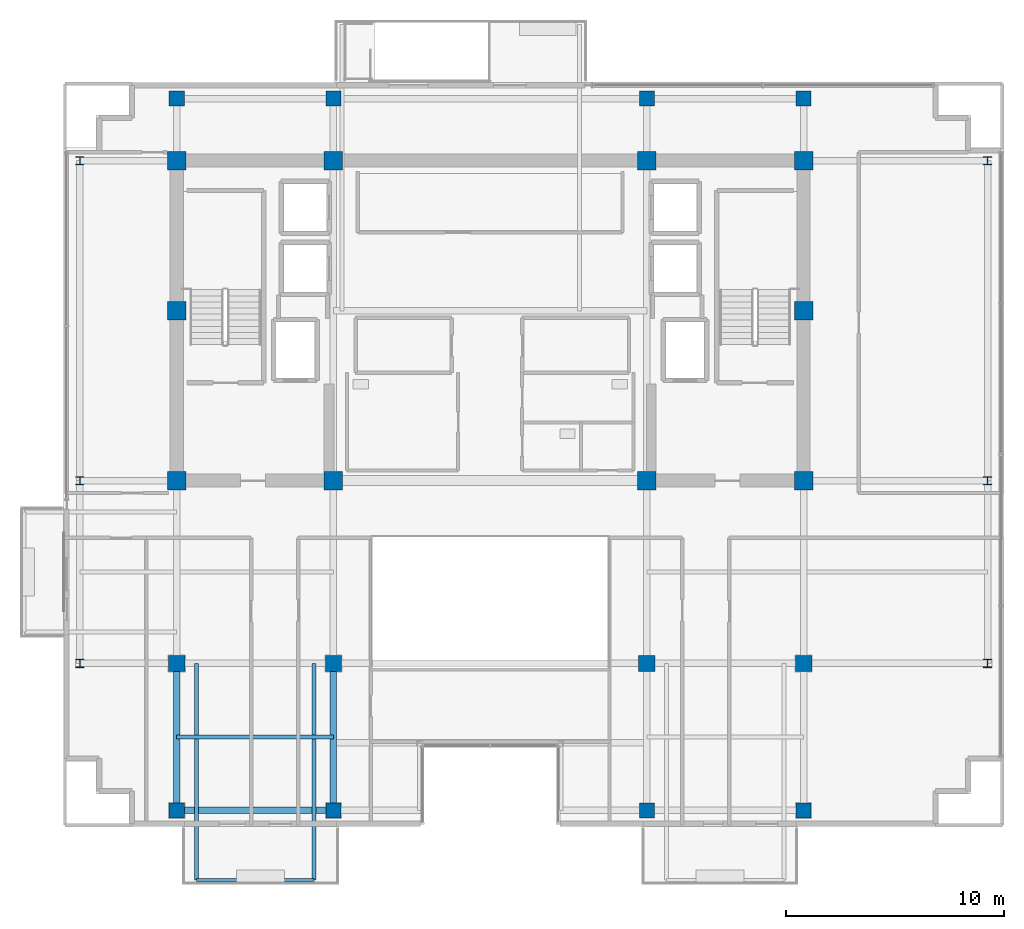
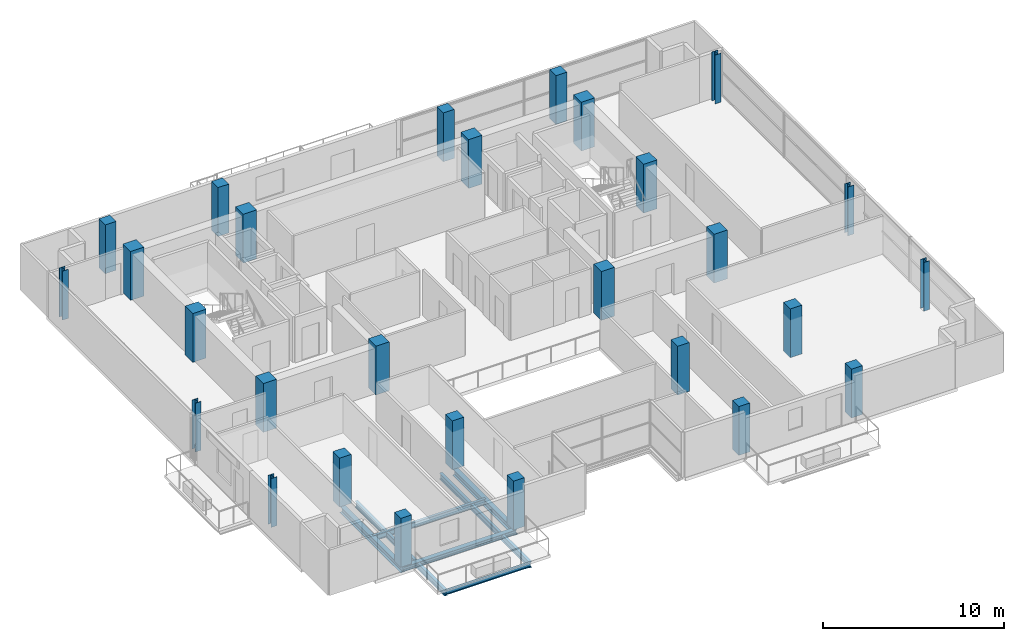
# One storey, part 1 of 24: 28 columns, 7 beams.
"""IFC4 building model written with IfcOpenShell, lengths in metres."""

from ifc_helpers import new_model, si_unit, direction, frame, origin, origin_2d, place, context, subcontext, project, spatial, rectangle, i_section, extrude, material, material_profile, profile_set, type_object, element, save


model = new_model("IFC4")

# Units and contexts
model_context = context("Model", 3, precision=1e-05, world=origin(), true_north=direction((0.0, 1.0)))
body_context = subcontext(model_context, "Body", "Model", "MODEL_VIEW")
ifc_project = project(units=[si_unit("LENGTHUNIT", "METRE"), si_unit("AREAUNIT", "SQUARE_METRE"), si_unit("VOLUMEUNIT", "CUBIC_METRE"), si_unit("PLANEANGLEUNIT", "RADIAN"), si_unit("MASSUNIT", "GRAM", prefix="KILO")], contexts=[model_context])

# Site, building, storey
site_placement = place(None, origin())
site = spatial("IfcSite", under=ifc_project, at=site_placement, CompositionType="ELEMENT")
building_placement = place(site_placement, origin())
building = spatial("IfcBuilding", under=site, at=building_placement, Name="Zarnakvel Exchange Tower", CompositionType="ELEMENT")
storey_placement = place(building_placement, frame((0.0, 0.0, 235.300048828125)))
storey = spatial("IfcBuildingStorey", under=building, at=storey_placement, Name="L66", CompositionType="ELEMENT", Elevation=235.300048828125)

# Columns
ifc_material_1 = material(Name="Concrete C50/60", Category="concrete")
ifc_material_profile_1 = material_profile(ifc_material_1, rectangle(XDim=0.85009765625, YDim=0.85009765625, at=origin_2d()))
ifc_profile_set_1 = profile_set([ifc_material_profile_1], Name="Concrete C50/60")
column_type_1 = type_object("IfcColumnType", Name="CC-03", PredefinedType="COLUMN", material=ifc_profile_set_1)
for number, where, z_axis, x_axis, name in (
    (1, (-14.39990234375, -1.199951171875, 0.0), (0.0, 0.0, 1.0), (1.0, 0.0, 0.0), "L66 Column C-4D (CC-03)"),
    (2, (-7.199951171875, -1.199951171875, 0.0), (0.0, 0.0, 1.0), (1.0, 0.0, 0.0), "L66 Column C-5D (CC-03)"),
    (3, (7.199951171875, -1.199951171875, 0.0), (0.0, 0.0, 1.0), (1.0, 0.0, 0.0), "L66 Column C-8D (CC-03)"),
    (4, (14.39990234375, -1.199951171875, 0.0), (0.0, 0.0, 1.0), (1.0, 0.0, 0.0), "L66 Column C-9D (CC-03)"),
    (5, (-14.39990234375, 6.60009765625, 0.0), (0.0, 0.0, 1.0), (1.0, 0.0, 0.0), "L66 Column C-4E (CC-03)"),
    (6, (14.39990234375, 6.60009765625, 0.0), (0.0, 0.0, 1.0), (1.0, 0.0, 0.0), "L66 Column C-9E (CC-03)"),
    (7, (-14.39990234375, 13.5, 0.0), (0.0, 0.0, 1.0), (1.0, 0.0, 0.0), "L66 Column C-4F (CC-03)"),
    (8, (-7.199951171875, 13.5, 0.0), (0.0, 0.0, 1.0), (1.0, 0.0, 0.0), "L66 Column C-5F (CC-03)"),
    (9, (7.199951171875, 13.5, 0.0), (0.0, 0.0, 1.0), (1.0, 0.0, 0.0), "L66 Column C-8F (CC-03)"),
    (10, (14.39990234375, 13.5, 0.0), (0.0, 0.0, 1.0), (1.0, 0.0, 0.0), "L66 Column C-9F (CC-03)"),
):
    element("IfcColumn", number, at=place(storey_placement, frame(where, z_axis=z_axis, x_axis=x_axis)), inside=storey, type_object=column_type_1, Name=name, PredefinedType="COLUMN", context=body_context, shape_type="SweptSolid", body=[
        extrude(rectangle(XDim=0.85009765625, YDim=0.85009765625, at=origin_2d()), origin(), (0.0, 0.0, 1.0), 3.300048828125),
    ])
ifc_material_2 = material(Name="Steel S355", Category="steel")
ifc_material_profile_2 = material_profile(ifc_material_2, i_section(OverallWidth=0.374755859375, OverallDepth=0.37451171875, WebThickness=0.0166015625, FlangeThickness=0.027099609375, FilletRadius=0.01513671875, at=origin_2d()))
ifc_profile_set_2 = profile_set([ifc_material_profile_2], Name="Steel S355")
column_type_2 = type_object("IfcColumnType", Name="SC-05", PredefinedType="COLUMN", material=ifc_profile_set_2)
for number, where, z_axis, x_axis, name in (
    (11, (-18.85009765625, -9.60009765625, 0.0), (0.0, 0.0, 1.0), (1.0, 0.0, 0.0), "L66 Column TW-C (SC-05)"),
    (12, (22.85009765625, -9.60009765625, 0.0), (0.0, 0.0, 1.0), (1.0, 0.0, 0.0), "L66 Column TE-C (SC-05)"),
    (13, (-18.85009765625, -1.199951171875, 0.0), (0.0, 0.0, 1.0), (1.0, 0.0, 0.0), "L66 Column TW-D (SC-05)"),
    (14, (22.85009765625, -1.199951171875, 0.0), (0.0, 0.0, 1.0), (1.0, 0.0, 0.0), "L66 Column TE-D (SC-05)"),
    (15, (-18.85009765625, 13.5, 0.0), (0.0, 0.0, 1.0), (1.0, 0.0, 0.0), "L66 Column TW-F (SC-05)"),
    (16, (22.85009765625, 13.5, 0.0), (0.0, 0.0, 1.0), (1.0, 0.0, 0.0), "L66 Column TE-F (SC-05)"),
):
    element("IfcColumn", number, at=place(storey_placement, frame(where, z_axis=z_axis, x_axis=x_axis)), inside=storey, type_object=column_type_2, Name=name, PredefinedType="COLUMN", context=body_context, shape_type="SweptSolid", body=[
        extrude(i_section(OverallWidth=0.374755859375, OverallDepth=0.37451171875, WebThickness=0.0166015625, FlangeThickness=0.027099609375, FilletRadius=0.01513671875, at=origin_2d()), origin(), (0.0, 0.0, 1.0), 3.300048828125),
    ])
ifc_material_profile_3 = material_profile(ifc_material_1, rectangle(XDim=0.75, YDim=0.75, at=origin_2d()))
ifc_profile_set_3 = profile_set([ifc_material_profile_3], Name="Concrete C50/60")
column_type_3 = type_object("IfcColumnType", Name="TC-04", PredefinedType="COLUMN", material=ifc_profile_set_3)
for number, where, z_axis, x_axis, name in (
    (17, (-14.39990234375, -9.60009765625, 0.0), (0.0, 0.0, 1.0), (1.0, 0.0, 0.0), "L66 Column T-4C (TC-04)"),
    (18, (-7.199951171875, -9.60009765625, 0.0), (0.0, 0.0, 1.0), (1.0, 0.0, 0.0), "L66 Column T-5C (TC-04)"),
    (19, (7.199951171875, -9.60009765625, 0.0), (0.0, 0.0, 1.0), (1.0, 0.0, 0.0), "L66 Column T-8C (TC-04)"),
    (20, (14.39990234375, -9.60009765625, 0.0), (0.0, 0.0, 1.0), (1.0, 0.0, 0.0), "L66 Column T-9C (TC-04)"),
):
    element("IfcColumn", number, at=place(storey_placement, frame(where, z_axis=z_axis, x_axis=x_axis)), inside=storey, type_object=column_type_3, Name=name, PredefinedType="COLUMN", context=body_context, shape_type="SweptSolid", body=[
        extrude(rectangle(XDim=0.75, YDim=0.75, at=origin_2d()), origin(), (0.0, 0.0, 1.0), 3.300048828125),
    ])
ifc_material_profile_4 = material_profile(ifc_material_1, rectangle(XDim=0.699951171875, YDim=0.699951171875, at=origin_2d()))
ifc_profile_set_4 = profile_set([ifc_material_profile_4], Name="Concrete C50/60")
column_type_4 = type_object("IfcColumnType", Name="TC-05", PredefinedType="COLUMN", material=ifc_profile_set_4)
for number, where, z_axis, x_axis, name in (
    (21, (-14.39990234375, -16.35009765625, 0.0), (0.0, 0.0, 1.0), (1.0, 0.0, 0.0), "L66 Column TS-4 (TC-05)"),
    (22, (-14.39990234375, 16.35009765625, 0.0), (0.0, 0.0, 1.0), (1.0, 0.0, 0.0), "L66 Column TN-4 (TC-05)"),
    (23, (-7.199951171875, -16.35009765625, 0.0), (0.0, 0.0, 1.0), (1.0, 0.0, 0.0), "L66 Column TS-5 (TC-05)"),
    (24, (-7.199951171875, 16.35009765625, 0.0), (0.0, 0.0, 1.0), (1.0, 0.0, 0.0), "L66 Column TN-5 (TC-05)"),
    (25, (7.199951171875, -16.35009765625, 0.0), (0.0, 0.0, 1.0), (1.0, 0.0, 0.0), "L66 Column TS-8 (TC-05)"),
    (26, (7.199951171875, 16.35009765625, 0.0), (0.0, 0.0, 1.0), (1.0, 0.0, 0.0), "L66 Column TN-8 (TC-05)"),
    (27, (14.39990234375, -16.35009765625, 0.0), (0.0, 0.0, 1.0), (1.0, 0.0, 0.0), "L66 Column TS-9 (TC-05)"),
    (28, (14.39990234375, 16.35009765625, 0.0), (0.0, 0.0, 1.0), (1.0, 0.0, 0.0), "L66 Column TN-9 (TC-05)"),
):
    element("IfcColumn", number, at=place(storey_placement, frame(where, z_axis=z_axis, x_axis=x_axis)), inside=storey, type_object=column_type_4, Name=name, PredefinedType="COLUMN", context=body_context, shape_type="SweptSolid", body=[
        extrude(rectangle(XDim=0.699951171875, YDim=0.699951171875, at=origin_2d()), origin(), (0.0, 0.0, 1.0), 3.300048828125),
    ])

# Beams
ifc_material_profile_5 = material_profile(ifc_material_2, i_section(OverallWidth=0.179931640625, OverallDepth=0.39990234375, WebThickness=0.008544921875, FlangeThickness=0.013427734375, FilletRadius=0.02099609375, at=origin_2d()))
ifc_profile_set_5 = profile_set([ifc_material_profile_5], Name="Steel S355")
beam_type_1 = type_object("IfcBeamType", Name="B-06", PredefinedType="JOIST", material=ifc_profile_set_5)
for number, where, z_axis, x_axis, name in (
    (29, (-13.5, -9.60009765625, -0.425048828125), (0.0, -1.0, 0.0), (1.0, 0.0, 0.0), "L66 Continuous Back-Spanned Balcony Beam W"),
    (30, (-8.10009765625, -9.60009765625, -0.425048828125), (0.0, -1.0, 0.0), (1.0, 0.0, 0.0), "L66 Continuous Back-Spanned Balcony Beam E"),
):
    element("IfcBeam", number, at=place(storey_placement, frame(where, z_axis=z_axis, x_axis=x_axis)), inside=storey, type_object=beam_type_1, Name=name, PredefinedType="JOIST", context=body_context, shape_type="SweptSolid", body=[
        extrude(i_section(OverallWidth=0.179931640625, OverallDepth=0.39990234375, WebThickness=0.008544921875, FlangeThickness=0.013427734375, FilletRadius=0.02099609375, at=origin_2d()), origin(), (0.0, 0.0, 1.0), 9.949951171875),
    ])
ifc_material_profile_6 = material_profile(ifc_material_2, i_section(OverallWidth=0.169921875, OverallDepth=0.360107421875, WebThickness=0.008056640625, FlangeThickness=0.0126953125, FilletRadius=0.01806640625, at=origin_2d()))
ifc_profile_set_6 = profile_set([ifc_material_profile_6], Name="Steel S355")
beam_type_2 = type_object("IfcBeamType", Name="B-07", PredefinedType="JOIST", material=ifc_profile_set_6)
beam_1_placement = place(storey_placement, frame((-14.39990234375, -12.97509765625, -0.405029296875), z_axis=(1.0, 0.0, 0.0), x_axis=(0.0, 1.0, 0.0)))
element("IfcBeam", 31, at=beam_1_placement, inside=storey, type_object=beam_type_2, Name="L66 Composite Floor Secondary Joist", PredefinedType="JOIST", context=body_context, shape_type="SweptSolid", body=[
    extrude(i_section(OverallWidth=0.169921875, OverallDepth=0.360107421875, WebThickness=0.008056640625, FlangeThickness=0.0126953125, FilletRadius=0.01806640625, at=origin_2d()), origin(), (0.0, 0.0, 1.0), 7.199951171875),
])
ifc_material_profile_7 = material_profile(ifc_material_2, i_section(OverallWidth=0.14990234375, OverallDepth=0.300048828125, WebThickness=0.007080078125, FlangeThickness=0.0107421875, FilletRadius=0.014892578125, at=origin_2d()))
ifc_profile_set_7 = profile_set([ifc_material_profile_7], Name="Steel S355")
beam_type_3 = type_object("IfcBeamType", Name="B-08", PredefinedType="JOIST", material=ifc_profile_set_7)
beam_2_placement = place(storey_placement, frame((-13.5, -19.550048828125, -0.375), z_axis=(1.0, 0.0, 0.0), x_axis=(0.0, 1.0, 0.0)))
element("IfcBeam", 32, at=beam_2_placement, inside=storey, type_object=beam_type_3, Name="L66 Balcony Edge Beam", PredefinedType="JOIST", context=body_context, shape_type="SweptSolid", body=[
    extrude(i_section(OverallWidth=0.14990234375, OverallDepth=0.300048828125, WebThickness=0.007080078125, FlangeThickness=0.0107421875, FilletRadius=0.014892578125, at=origin_2d()), origin(), (0.0, 0.0, 1.0), 5.39990234375),
])
ifc_material_profile_8 = material_profile(ifc_material_2, i_section(OverallWidth=0.300048828125, OverallDepth=0.449951171875, WebThickness=0.013916015625, FlangeThickness=0.02587890625, FilletRadius=0.027099609375, at=origin_2d()))
ifc_profile_set_8 = profile_set([ifc_material_profile_8], Name="Steel S355")
beam_type_4 = type_object("IfcBeamType", Name="G-07", PredefinedType="BEAM", material=ifc_profile_set_8)
for number, where, z_axis, x_axis, name in (
    (33, (-14.39990234375, -16.35009765625, -0.449951171875), (0.0, 1.0, 0.0), (-1.0, 0.0, 0.0), "L66 Tower N-S Frame Beam"),
    (34, (-7.199951171875, -16.35009765625, -0.449951171875), (0.0, 1.0, 0.0), (-1.0, 0.0, 0.0), "L66 Tower N-S Frame Beam"),
):
    element("IfcBeam", number, at=place(storey_placement, frame(where, z_axis=z_axis, x_axis=x_axis)), inside=storey, type_object=beam_type_4, Name=name, PredefinedType="BEAM", context=body_context, shape_type="SweptSolid", body=[
        extrude(i_section(OverallWidth=0.300048828125, OverallDepth=0.449951171875, WebThickness=0.013916015625, FlangeThickness=0.02587890625, FilletRadius=0.027099609375, at=origin_2d()), origin(), (0.0, 0.0, 1.0), 6.75),
    ])
ifc_material_profile_9 = material_profile(ifc_material_2, i_section(OverallWidth=0.300048828125, OverallDepth=0.300048828125, WebThickness=0.010986328125, FlangeThickness=0.01904296875, FilletRadius=0.027099609375, at=origin_2d()))
ifc_profile_set_9 = profile_set([ifc_material_profile_9], Name="Steel S355")
beam_type_5 = type_object("IfcBeamType", Name="SP-03", PredefinedType="SPANDREL", material=ifc_profile_set_9)
beam_3_placement = place(storey_placement, frame((-14.39990234375, -16.35009765625, -0.375), z_axis=(1.0, 0.0, 0.0), x_axis=(0.0, 1.0, 0.0)))
element("IfcBeam", 35, at=beam_3_placement, inside=storey, type_object=beam_type_5, Name="L66 Tower E-W Frame Beam", PredefinedType="SPANDREL", context=body_context, shape_type="SweptSolid", body=[
    extrude(i_section(OverallWidth=0.300048828125, OverallDepth=0.300048828125, WebThickness=0.010986328125, FlangeThickness=0.01904296875, FilletRadius=0.027099609375, at=origin_2d()), origin(), (0.0, 0.0, 1.0), 7.199951171875),
])

save(model, "model.ifc")
